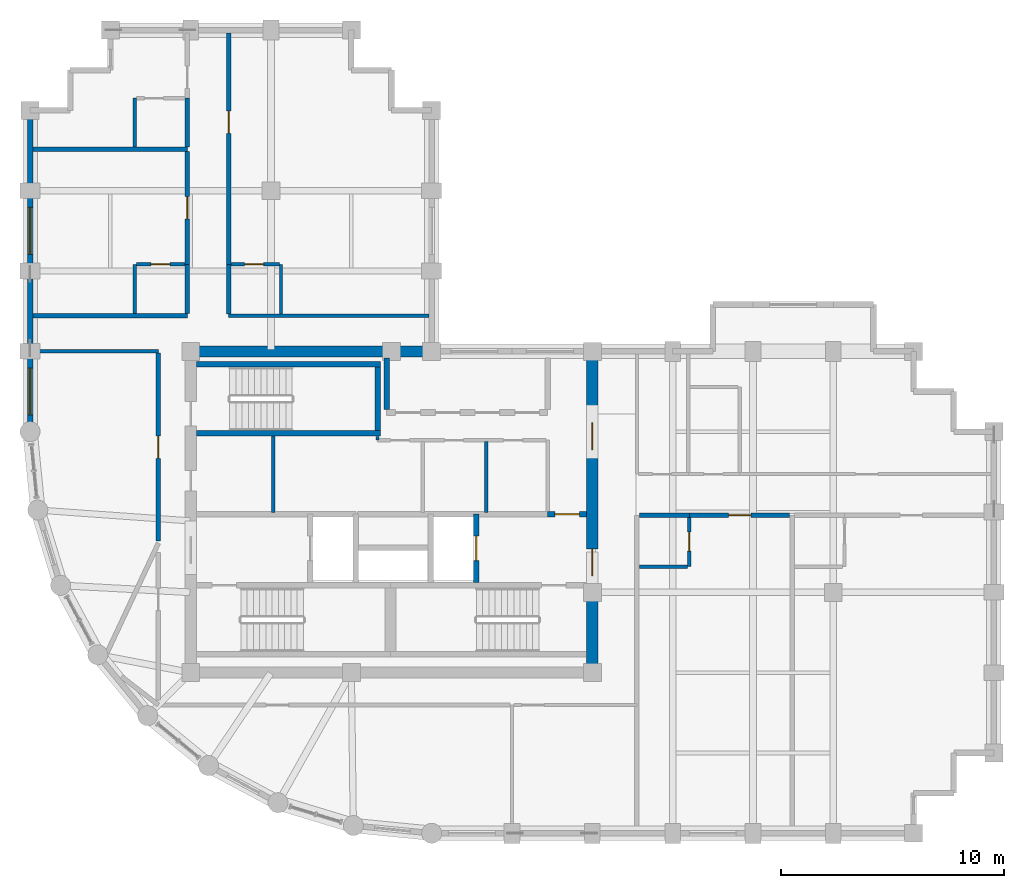
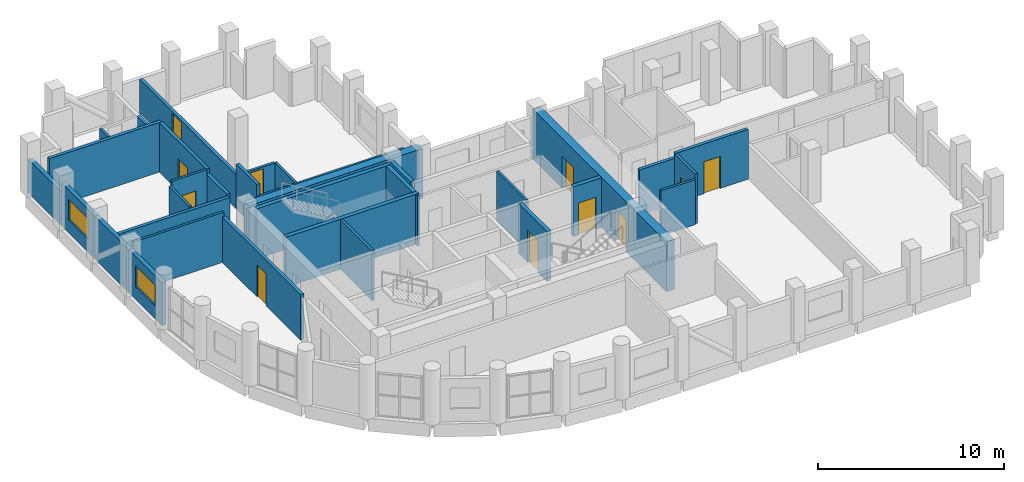
# One storey, part 8 of 11: 34 walls, 11 doors, 2 windows, 13 openings.
"""IFC4 building model written with IfcOpenShell, lengths in metres."""

from ifc_helpers import new_model, si_unit, direction, frame, frame_2d, origin, place, context, subcontext, project, spatial, rectangle, extrude, material, layer, layer_set, type_object, element, fill, save


model = new_model("IFC4")

# Units and contexts
model_context = context("Model", 3, precision=1e-05, world=origin(), true_north=direction((0.0, 1.0)))
body_context = subcontext(model_context, "Body", "Model", "MODEL_VIEW")
ifc_project = project(units=[si_unit("LENGTHUNIT", "METRE"), si_unit("AREAUNIT", "SQUARE_METRE"), si_unit("VOLUMEUNIT", "CUBIC_METRE"), si_unit("PLANEANGLEUNIT", "RADIAN"), si_unit("MASSUNIT", "GRAM", prefix="KILO")], contexts=[model_context])

# Site, building, storey
site_placement = place(None, origin())
site = spatial("IfcSite", under=ifc_project, at=site_placement, CompositionType="ELEMENT")
building_placement = place(site_placement, origin())
building = spatial("IfcBuilding", under=site, at=building_placement, Name="Solnavia Interchange Tower", CompositionType="ELEMENT")
storey_placement = place(building_placement, frame((0.0, 0.0, 217.39990234375)))
storey = spatial("IfcBuildingStorey", under=building, at=storey_placement, Name="L54", CompositionType="ELEMENT", Elevation=217.39990234375)

# Wall, opening, door
ifc_material_1 = material(Name="Gypsum Acoustic Twin-Stud & Mineral Wool", Category="gypsum")
ifc_layer_1 = layer(ifc_material_1, 0.199951171875)
ifc_layer_set_1 = layer_set([ifc_layer_1], Name="Gypsum Acoustic Twin-Stud & Mineral Wool")
wall_type_1 = type_object("IfcWallType", Name="Wall-ApartmentParty-200", PredefinedType="PARTITIONING", material=ifc_layer_set_1)
wall_1_placement = place(storey_placement, frame((12.949951171875, 16.7041015625, 0.0), z_axis=(0.0, 0.0, 1.0), x_axis=(0.0, 1.0, 0.0)))
wall_1 = element("IfcWall", 1, at=wall_1_placement, inside=storey, type_object=wall_type_1, Name="PTW-L54-11 Interior partition wall", PredefinedType="PARTITIONING", context=body_context, shape_type="SweptSolid", body=[
    extrude(rectangle(XDim=8.4169921875, YDim=0.199951171875, at=frame_2d((4.20849609375, 0.0))), origin(), (0.0, 0.0, 1.0), 2.989990234375),
])
opening_1_placement = place(wall_1_placement, frame((3.696044921875, 0.0, 0.0)))
opening_1 = element("IfcOpeningElement", 2, at=opening_1_placement, cuts=wall_1, Name="Opening DR-07", PredefinedType="OPENING", context=body_context, shape_type="SweptSolid", body=[
    extrude(rectangle(XDim=1.0, YDim=2.10009765625, at=frame_2d((0.5, 1.050048828125))), frame((0.0, 0.10986328125, 0.0), z_axis=(0.0, -1.0, 0.0), x_axis=(1.0, 0.0, 0.0)), (0.0, 0.0, 1.0), 0.219970703125),
])
ifc_material_2 = material(Name="Timber & Acoustic Glazed Office Door", Category="wood")
door_type_1 = type_object("IfcDoorType", Name="Door-Office-1000x2100", OperationType="SINGLE_SWING_RIGHT", PredefinedType="DOOR", material=ifc_material_2)
door_1_placement = place(opening_1_placement, origin())
door_1 = element("IfcDoor", 3, at=door_1_placement, inside=storey, type_object=door_type_1, Name="DR-L54-03 Interior room door", OperationType="SINGLE_SWING_LEFT", OverallHeight=2.10009765625, OverallWidth=1.0, PredefinedType="DOOR", context=body_context, shape_type="SweptSolid", body=[
    extrude(rectangle(XDim=1.0, YDim=2.10009765625, at=frame_2d((0.5, 1.050048828125))), frame((0.0, 0.02490234375, 0.0), z_axis=(0.0, -1.0, 0.0), x_axis=(1.0, 0.0, 0.0)), (0.0, 0.0, 1.0), 0.050048828125),
])
fill(opening_1, door_1)

# Wall
wall_2_placement = place(storey_placement, frame((34.50390625, 17.85009765625, 0.0), z_axis=(0.0, 0.0, 1.0), x_axis=(1.0, 0.0, 0.0)))
element("IfcWall", 4, at=wall_2_placement, inside=storey, type_object=wall_type_1, Name="PTW-L54-17 Interior partition wall", PredefinedType="PARTITIONING", context=body_context, shape_type="SweptSolid", body=[
    extrude(rectangle(XDim=2.24609375, YDim=0.199951171875, at=frame_2d((1.123046875, 0.0))), origin(), (0.0, 0.0, 1.0), 2.960205078125),
])

# Wall, opening, door
wall_3_placement = place(storey_placement, frame((36.75, 17.85009765625, 0.0), z_axis=(0.0, 0.0, 1.0), x_axis=(1.0, 0.0, 0.0)))
wall_3 = element("IfcWall", 5, at=wall_3_placement, inside=storey, type_object=wall_type_1, Name="PTW-L54-18 Interior partition wall", PredefinedType="PARTITIONING", context=body_context, shape_type="SweptSolid", body=[
    extrude(rectangle(XDim=4.49609375, YDim=0.199951171875, at=frame_2d((2.248046875, 0.0))), origin(), (0.0, 0.0, 1.0), 3.26513671875),
])
opening_2_placement = place(wall_3_placement, frame((1.760986328125, 0.0, 0.0)))
opening_2 = element("IfcOpeningElement", 6, at=opening_2_placement, cuts=wall_3, Name="Opening DR-06", PredefinedType="OPENING", context=body_context, shape_type="SweptSolid", body=[
    extrude(rectangle(XDim=1.0, YDim=2.10009765625, at=frame_2d((0.5, 1.050048828125))), frame((0.0, 0.10986328125, 0.0), z_axis=(0.0, -1.0, 0.0), x_axis=(1.0, 0.0, 0.0)), (0.0, 0.0, 1.0), 0.219970703125),
])
ifc_material_3 = material(Name="Engineered Timber Acoustic Fire Door", Category="wood")
door_type_2 = type_object("IfcDoorType", Name="Door-FlatEntry-1000x2100", OperationType="SINGLE_SWING_LEFT", PredefinedType="DOOR", material=ifc_material_3)
door_2_placement = place(opening_2_placement, origin())
door_2 = element("IfcDoor", 7, at=door_2_placement, inside=storey, type_object=door_type_2, Name="DR-L54-07 Interior room door", OperationType="SINGLE_SWING_LEFT", OverallHeight=2.10009765625, OverallWidth=1.0, PredefinedType="DOOR", context=body_context, shape_type="SweptSolid", body=[
    extrude(rectangle(XDim=1.0, YDim=2.10009765625, at=frame_2d((0.5, 1.050048828125))), frame((0.0, 0.02490234375, 0.0), z_axis=(0.0, -1.0, 0.0), x_axis=(1.0, 0.0, 0.0)), (0.0, 0.0, 1.0), 0.050048828125),
])
fill(opening_2, door_2)

# Walls
wall_4_placement = place(storey_placement, frame((7.3291015625, 26.800048828125, 0.0), z_axis=(0.0, 0.0, 1.0), x_axis=(1.0, 0.0, 0.0)))
element("IfcWall", 8, at=wall_4_placement, inside=storey, type_object=wall_type_1, Name="PTW-L54-26 Interior partition wall", PredefinedType="PARTITIONING", context=body_context, shape_type="SweptSolid", body=[
    extrude(rectangle(XDim=6.9208984375, YDim=0.199951171875, at=frame_2d((3.46044921875, 0.0))), origin(), (0.0, 0.0, 1.0), 2.830078125),
])
wall_5_placement = place(storey_placement, frame((7.3291015625, 34.25, 0.0), z_axis=(0.0, 0.0, 1.0), x_axis=(1.0, 0.0, 0.0)))
element("IfcWall", 9, at=wall_5_placement, inside=storey, type_object=wall_type_1, Name="PTW-L54-27 Interior partition wall", PredefinedType="PARTITIONING", context=body_context, shape_type="SweptSolid", body=[
    extrude(rectangle(XDim=6.9208984375, YDim=0.199951171875, at=frame_2d((3.46044921875, 0.0))), origin(), (0.0, 0.0, 1.0), 3.26513671875),
])
wall_6_placement = place(storey_placement, frame((14.25, 26.904052734375, 0.0), z_axis=(0.0, 0.0, 1.0), x_axis=(0.0, 1.0, 0.0)))
element("IfcWall", 10, at=wall_6_placement, inside=storey, type_object=wall_type_1, Name="PTW-L54-28 Interior partition wall", PredefinedType="PARTITIONING", context=body_context, shape_type="SweptSolid", body=[
    extrude(rectangle(XDim=2.196044921875, YDim=0.199951171875, at=frame_2d((1.09814453125, 0.0))), origin(), (0.0, 0.0, 1.0), 2.9501953125),
])

# Wall, opening, door
wall_7_placement = place(storey_placement, frame((14.25, 29.10009765625, 0.0), z_axis=(0.0, 0.0, 1.0), x_axis=(0.0, 1.0, 0.0)))
wall_7 = element("IfcWall", 11, at=wall_7_placement, inside=storey, type_object=wall_type_1, Name="PTW-L54-29 Interior partition wall", PredefinedType="PARTITIONING", context=body_context, shape_type="SweptSolid", body=[
    extrude(rectangle(XDim=5.0458984375, YDim=0.199951171875, at=frame_2d((2.52294921875, 0.0))), origin(), (0.0, 0.0, 1.0), 3.26513671875),
])
opening_3_placement = place(wall_7_placement, frame((2.034912109375, 0.0, 0.0)))
opening_3 = element("IfcOpeningElement", 12, at=opening_3_placement, cuts=wall_7, Name="Opening DR-06", PredefinedType="OPENING", context=body_context, shape_type="SweptSolid", body=[
    extrude(rectangle(XDim=1.0, YDim=2.10009765625, at=frame_2d((0.5, 1.050048828125))), frame((0.0, 0.10986328125, 0.0), z_axis=(0.0, -1.0, 0.0), x_axis=(1.0, 0.0, 0.0)), (0.0, 0.0, 1.0), 0.219970703125),
])
door_3_placement = place(opening_3_placement, origin())
door_3 = element("IfcDoor", 13, at=door_3_placement, inside=storey, type_object=door_type_2, Name="DR-L54-12 Interior room door", OperationType="SINGLE_SWING_RIGHT", OverallHeight=2.10009765625, OverallWidth=1.0, PredefinedType="DOOR", context=body_context, shape_type="SweptSolid", body=[
    extrude(rectangle(XDim=1.0, YDim=2.10009765625, at=frame_2d((0.5, 1.050048828125))), frame((0.0, 0.02490234375, 0.0), z_axis=(0.0, -1.0, 0.0), x_axis=(1.0, 0.0, 0.0)), (0.0, 0.0, 1.0), 0.050048828125),
])
fill(opening_3, door_3)

# Walls
wall_8_placement = place(storey_placement, frame((14.25, 34.35400390625, 0.0), z_axis=(0.0, 0.0, 1.0), x_axis=(0.0, 1.0, 0.0)))
element("IfcWall", 14, at=wall_8_placement, inside=storey, type_object=wall_type_1, Name="PTW-L54-32 Interior partition wall", PredefinedType="PARTITIONING", context=body_context, shape_type="SweptSolid", body=[
    extrude(rectangle(XDim=2.196044921875, YDim=0.199951171875, at=frame_2d((1.09814453125, 0.0))), origin(), (0.0, 0.0, 1.0), 2.22998046875),
])
wall_9_placement = place(storey_placement, frame((16.10009765625, 26.87890625, 0.0), z_axis=(0.0, 0.0, 1.0), x_axis=(0.0, 1.0, 0.0)))
element("IfcWall", 15, at=wall_9_placement, inside=storey, type_object=wall_type_1, Name="PTW-L54-37 Interior partition wall", PredefinedType="PARTITIONING", context=body_context, shape_type="SweptSolid", body=[
    extrude(rectangle(XDim=2.22119140625, YDim=0.199951171875, at=frame_2d((1.110595703125, 0.0))), origin(), (0.0, 0.0, 1.0), 2.9501953125),
])

# Wall, opening, door
wall_10_placement = place(storey_placement, frame((16.10009765625, 29.10009765625, 0.0), z_axis=(0.0, 0.0, 1.0), x_axis=(0.0, 1.0, 0.0)))
wall_10 = element("IfcWall", 16, at=wall_10_placement, inside=storey, type_object=wall_type_1, Name="PTW-L54-38 Interior partition wall", PredefinedType="PARTITIONING", context=body_context, shape_type="SweptSolid", body=[
    extrude(rectangle(XDim=10.370849609375, YDim=0.199951171875, at=frame_2d((5.185546875, 0.0))), origin(), (0.0, 0.0, 1.0), 2.22998046875),
])
opening_4_placement = place(wall_10_placement, frame((5.866943359375, 0.0, 0.0)))
opening_4 = element("IfcOpeningElement", 17, at=opening_4_placement, cuts=wall_10, Name="Opening DR-06", PredefinedType="OPENING", context=body_context, shape_type="SweptSolid", body=[
    extrude(rectangle(XDim=1.0, YDim=2.10009765625, at=frame_2d((0.5, 1.050048828125))), frame((0.0, 0.10986328125, 0.0), z_axis=(0.0, -1.0, 0.0), x_axis=(1.0, 0.0, 0.0)), (0.0, 0.0, 1.0), 0.219970703125),
])
door_4_placement = place(opening_4_placement, origin())
door_4 = element("IfcDoor", 18, at=door_4_placement, inside=storey, type_object=door_type_2, Name="DR-L54-16 Interior room door", OperationType="SINGLE_SWING_LEFT", OverallHeight=2.10009765625, OverallWidth=1.0, PredefinedType="DOOR", context=body_context, shape_type="SweptSolid", body=[
    extrude(rectangle(XDim=1.0, YDim=2.10009765625, at=frame_2d((0.5, 1.050048828125))), frame((0.0, 0.02490234375, 0.0), z_axis=(0.0, -1.0, 0.0), x_axis=(1.0, 0.0, 0.0)), (0.0, 0.0, 1.0), 0.050048828125),
])
fill(opening_4, door_4)

# Wall
ifc_material_4 = material(Name="Concrete C40/50", Category="concrete")
ifc_layer_2 = layer(ifc_material_4, 0.25)
ifc_layer_set_2 = layer_set([ifc_layer_2], Name="Concrete C40/50")
wall_type_2 = type_object("IfcWallType", Name="Wall-ExtSpandrel-250", PredefinedType="STANDARD", material=ifc_layer_set_2)
wall_11_placement = place(storey_placement, frame((7.199951171875, 32.39990234375, 0.0), z_axis=(0.0, 0.0, 1.0), x_axis=(0.0, 1.0, 0.0)))
element("IfcWall", 19, at=wall_11_placement, inside=storey, type_object=wall_type_2, Name="EXW-L54-43 Exterior precast spandrel wall", PredefinedType="STANDARD", context=body_context, shape_type="SweptSolid", body=[
    extrude(rectangle(XDim=3.60009765625, YDim=0.25, at=frame_2d((1.800048828125, 0.0))), origin(), (0.0, 0.0, 1.0), 2.22998046875),
])

# Wall, opening, window
wall_12_placement = place(storey_placement, frame((7.199951171875, 28.800048828125, 0.0), z_axis=(0.0, 0.0, 1.0), x_axis=(0.0, 1.0, 0.0)))
wall_12 = element("IfcWall", 20, at=wall_12_placement, inside=storey, type_object=wall_type_2, Name="EXW-L54-44 Exterior precast spandrel wall", PredefinedType="STANDARD", context=body_context, shape_type="SweptSolid", body=[
    extrude(rectangle(XDim=3.599853515625, YDim=0.25, at=frame_2d((1.7998046875, 0.0))), origin(), (0.0, 0.0, 1.0), 2.830078125),
])
opening_5_placement = place(wall_12_placement, frame((0.75, 0.0, 0.85009765625)))
opening_5 = element("IfcOpeningElement", 21, at=opening_5_placement, cuts=wall_12, Name="Opening WIN-01", PredefinedType="OPENING", context=body_context, shape_type="SweptSolid", body=[
    extrude(rectangle(XDim=2.10009765625, YDim=1.35009765625, at=frame_2d((1.050048828125, 0.675048828125))), frame((0.0, 0.135009765625, 0.0), z_axis=(0.0, -1.0, 0.0), x_axis=(1.0, 0.0, 0.0)), (0.0, 0.0, 1.0), 0.27001953125),
])
ifc_material_5 = material(Name="Thermal-Break Aluminium & Low-E Glass", Category="aluminium")
window_type = type_object("IfcWindowType", Name="Window-Ribbon-2100x1350", PartitioningType="SINGLE_PANEL", PredefinedType="WINDOW", material=ifc_material_5)
window_1_placement = place(opening_5_placement, origin())
window_1 = element("IfcWindow", 22, at=window_1_placement, inside=storey, type_object=window_type, Name="WIN-L54-44 Facade ribbon window", OverallHeight=1.35009765625, OverallWidth=2.10009765625, PartitioningType="SINGLE_PANEL", PredefinedType="WINDOW", context=body_context, shape_type="SweptSolid", body=[
    extrude(rectangle(XDim=2.10009765625, YDim=1.35009765625, at=frame_2d((1.050048828125, 0.675048828125))), frame((0.0, 0.030029296875, 0.0), z_axis=(0.0, -1.0, 0.0), x_axis=(1.0, 0.0, 0.0)), (0.0, 0.0, 1.0), 0.06005859375),
])
fill(opening_5, window_1)

# Wall
wall_13_placement = place(storey_placement, frame((7.199951171875, 25.199951171875, 0.0), z_axis=(0.0, 0.0, 1.0), x_axis=(0.0, 1.0, 0.0)))
element("IfcWall", 23, at=wall_13_placement, inside=storey, type_object=wall_type_2, Name="EXW-L54-45 Exterior precast spandrel wall", PredefinedType="STANDARD", context=body_context, shape_type="SweptSolid", body=[
    extrude(rectangle(XDim=3.60009765625, YDim=0.25, at=frame_2d((1.800048828125, 0.0))), origin(), (0.0, 0.0, 1.0), 2.830078125),
])

# Wall, opening, window
wall_14_placement = place(storey_placement, frame((7.199951171875, 21.60009765625, 0.0), z_axis=(0.0, 0.0, 1.0), x_axis=(0.0, 1.0, 0.0)))
wall_14 = element("IfcWall", 24, at=wall_14_placement, inside=storey, type_object=wall_type_2, Name="EXW-L54-46 Exterior precast spandrel wall", PredefinedType="STANDARD", context=body_context, shape_type="SweptSolid", body=[
    extrude(rectangle(XDim=3.599853515625, YDim=0.25, at=frame_2d((1.7998046875, 0.0))), origin(), (0.0, 0.0, 1.0), 2.830078125),
])
opening_6_placement = place(wall_14_placement, frame((0.75, 0.0, 0.85009765625)))
opening_6 = element("IfcOpeningElement", 25, at=opening_6_placement, cuts=wall_14, Name="Opening WIN-01", PredefinedType="OPENING", context=body_context, shape_type="SweptSolid", body=[
    extrude(rectangle(XDim=2.10009765625, YDim=1.35009765625, at=frame_2d((1.050048828125, 0.675048828125))), frame((0.0, 0.135009765625, 0.0), z_axis=(0.0, -1.0, 0.0), x_axis=(1.0, 0.0, 0.0)), (0.0, 0.0, 1.0), 0.27001953125),
])
window_2_placement = place(opening_6_placement, origin())
window_2 = element("IfcWindow", 26, at=window_2_placement, inside=storey, type_object=window_type, Name="WIN-L54-46 Facade ribbon window", OverallHeight=1.35009765625, OverallWidth=2.10009765625, PartitioningType="SINGLE_PANEL", PredefinedType="WINDOW", context=body_context, shape_type="SweptSolid", body=[
    extrude(rectangle(XDim=2.10009765625, YDim=1.35009765625, at=frame_2d((1.050048828125, 0.675048828125))), frame((0.0, 0.030029296875, 0.0), z_axis=(0.0, -1.0, 0.0), x_axis=(1.0, 0.0, 0.0)), (0.0, 0.0, 1.0), 0.06005859375),
])
fill(opening_6, window_2)

# Walls
ifc_material_6 = material(Name="Gypsum Plasterboard & Steel Stud", Category="steel")
ifc_layer_3 = layer(ifc_material_6, 0.14990234375)
ifc_layer_set_3 = layer_set([ifc_layer_3], Name="Gypsum Plasterboard & Steel Stud")
wall_type_3 = type_object("IfcWallType", Name="Wall-Partition-150", PredefinedType="PARTITIONING", material=ifc_layer_set_3)
wall_15_placement = place(storey_placement, frame((22.77490234375, 21.219970703125, 0.0), z_axis=(0.0, 0.0, 1.0), x_axis=(0.0, 1.0, 0.0)))
element("IfcWall", 27, at=wall_15_placement, inside=storey, type_object=wall_type_3, Name="CSW-L54-ST-TIE Core shaft wall", PredefinedType="PARTITIONING", context=body_context, shape_type="SweptSolid", body=[
    extrude(rectangle(XDim=0.175048828125, YDim=0.14990234375, at=frame_2d((0.08740234375, 0.0))), origin(), (0.0, 0.0, 1.0), 3.26513671875),
])
wall_16_placement = place(storey_placement, frame((18.10009765625, 17.97998046875, 0.0), z_axis=(0.0, 0.0, 1.0), x_axis=(0.0, 1.0, 0.0)))
element("IfcWall", 28, at=wall_16_placement, inside=storey, type_object=wall_type_3, Name="CSW-L54-M1 Core shaft wall", PredefinedType="PARTITIONING", context=body_context, shape_type="SweptSolid", body=[
    extrude(rectangle(XDim=3.419921875, YDim=0.14990234375, at=frame_2d((1.7099609375, 0.0))), origin(), (0.0, 0.0, 1.0), 3.26513671875),
])
wall_17_placement = place(storey_placement, frame((27.64990234375, 17.97998046875, 0.0), z_axis=(0.0, 0.0, 1.0), x_axis=(0.0, 1.0, 0.0)))
element("IfcWall", 29, at=wall_17_placement, inside=storey, type_object=wall_type_3, Name="CSW-L54-M3 Core shaft wall", PredefinedType="PARTITIONING", context=body_context, shape_type="SweptSolid", body=[
    extrude(rectangle(XDim=3.169921875, YDim=0.14990234375, at=frame_2d((1.5849609375, 0.0))), origin(), (0.0, 0.0, 1.0), 3.26513671875),
])
wall_18_placement = place(storey_placement, frame((7.3291015625, 25.199951171875, 0.0), z_axis=(0.0, 0.0, 1.0), x_axis=(1.0, 0.0, 0.0)))
element("IfcWall", 30, at=wall_18_placement, inside=storey, type_object=wall_type_3, Name="PTW-L54-07 Interior partition wall", PredefinedType="PARTITIONING", context=body_context, shape_type="SweptSolid", body=[
    extrude(rectangle(XDim=5.620849609375, YDim=0.14990234375, at=frame_2d((2.810546875, 0.0))), origin(), (0.0, 0.0, 1.0), 3.26513671875),
])
wall_19_placement = place(storey_placement, frame((16.10009765625, 26.800048828125, 0.0), z_axis=(0.0, 0.0, 1.0), x_axis=(1.0, 0.0, 0.0)))
element("IfcWall", 31, at=wall_19_placement, inside=storey, type_object=wall_type_3, Name="PTW-L54-36 Interior partition wall", PredefinedType="PARTITIONING", context=body_context, shape_type="SweptSolid", body=[
    extrude(rectangle(XDim=8.970947265625, YDim=0.14990234375, at=frame_2d((4.4853515625, 0.0))), origin(), (0.0, 0.0, 1.0), 2.22998046875),
])
ifc_layer_4 = layer(ifc_material_4, 0.25)
ifc_layer_set_4 = layer_set([ifc_layer_4], Name="Concrete C40/50")
wall_type_4 = type_object("IfcWallType", Name="Wall-ShaftCore-250", PredefinedType="SHEAR", material=ifc_layer_set_4)
for number, where, z_axis, x_axis, name in (
    (32, (14.64990234375, 21.52490234375, 0.0), (0.0, 0.0, 1.0), (1.0, 0.0, 0.0), "SHW-L54-ST3S Core shear wall"),
    (33, (14.64990234375, 24.614990234375, 0.0), (0.0, 0.0, 1.0), (1.0, 0.0, 0.0), "SHW-L54-ST3N Core shear wall"),
):
    element("IfcWall", number, at=place(storey_placement, frame(where, z_axis=z_axis, x_axis=x_axis)), inside=storey, type_object=wall_type_4, Name=name, PredefinedType="SHEAR", context=body_context, shape_type="SweptSolid", body=[
        extrude(rectangle(XDim=8.25, YDim=0.25, at=frame_2d((4.125, 0.0))), origin(), (0.0, 0.0, 1.0), 3.280029296875),
    ])
wall_20_placement = place(storey_placement, frame((22.77490234375, 21.64990234375, 0.0), z_axis=(0.0, 0.0, 1.0), x_axis=(0.0, 1.0, 0.0)))
element("IfcWall", 34, at=wall_20_placement, inside=storey, type_object=wall_type_4, Name="SHW-L54-ST3E Core shear wall", PredefinedType="SHEAR", context=body_context, shape_type="SweptSolid", body=[
    extrude(rectangle(XDim=2.840087890625, YDim=0.25, at=frame_2d((1.419921875, 0.0))), origin(), (0.0, 0.0, 1.0), 3.280029296875),
])

# Wall, opening, door
ifc_layer_5 = layer(ifc_material_4, 0.25)
ifc_layer_set_5 = layer_set([ifc_layer_5], Name="Concrete C40/50")
wall_type_5 = type_object("IfcWallType", Name="Wall-ShaftPart-250", PredefinedType="PARTITIONING", material=ifc_layer_set_5)
wall_21_placement = place(storey_placement, frame((30.39990234375, 17.89990234375, 0.0), z_axis=(0.0, 0.0, 1.0), x_axis=(1.0, 0.0, 0.0)))
wall_21 = element("IfcWall", 35, at=wall_21_placement, inside=storey, type_object=wall_type_5, Name="SHW-L54-FFLE-N2 Core shaft wall", PredefinedType="PARTITIONING", context=body_context, shape_type="SweptSolid", body=[
    extrude(rectangle(XDim=1.75, YDim=0.25, at=frame_2d((0.875, 0.0))), origin(), (0.0, 0.0, 1.0), 3.26513671875),
])
opening_7_placement = place(wall_21_placement, frame((0.320068359375, 0.0, 0.0)))
opening_7 = element("IfcOpeningElement", 36, at=opening_7_placement, cuts=wall_21, Name="Opening DR-01", PredefinedType="OPENING", context=body_context, shape_type="SweptSolid", body=[
    extrude(rectangle(XDim=1.10009765625, YDim=2.10009765625, at=frame_2d((0.550048828125, 1.050048828125))), frame((0.0, 0.135009765625, 0.0), z_axis=(0.0, -1.0, 0.0), x_axis=(1.0, 0.0, 0.0)), (0.0, 0.0, 1.0), 0.27001953125),
])
ifc_material_7 = material(Name="Steel Fire-Rated Leaf & Frame", Category="steel")
door_type_3 = type_object("IfcDoorType", Name="Door-StairFire-1100x2100", OperationType="SINGLE_SWING_LEFT", PredefinedType="DOOR", material=ifc_material_7)
door_5_placement = place(opening_7_placement, origin())
door_5 = element("IfcDoor", 37, at=door_5_placement, inside=storey, type_object=door_type_3, Name="DR-L54-LLC Core fire door", OperationType="SINGLE_SWING_LEFT", OverallHeight=2.10009765625, OverallWidth=1.10009765625, PredefinedType="DOOR", context=body_context, shape_type="SweptSolid", body=[
    extrude(rectangle(XDim=1.10009765625, YDim=2.10009765625, at=frame_2d((0.550048828125, 1.050048828125))), frame((0.0, 0.02490234375, 0.0), z_axis=(0.0, -1.0, 0.0), x_axis=(1.0, 0.0, 0.0)), (0.0, 0.0, 1.0), 0.050048828125),
])
fill(opening_7, door_5)

wall_22_placement = place(storey_placement, frame((27.199951171875, 14.840087890625, 0.0), z_axis=(0.0, 0.0, 1.0), x_axis=(0.0, 1.0, 0.0)))
wall_22 = element("IfcWall", 38, at=wall_22_placement, inside=storey, type_object=wall_type_5, Name="SHW-L54-FFL2-E Core shaft wall", PredefinedType="PARTITIONING", context=body_context, shape_type="SweptSolid", body=[
    extrude(rectangle(XDim=3.059814453125, YDim=0.25, at=frame_2d((1.52978515625, 0.0))), origin(), (0.0, 0.0, 1.0), 3.26513671875),
])
opening_8_placement = place(wall_22_placement, frame((0.97998046875, 0.0, 0.0)))
opening_8 = element("IfcOpeningElement", 39, at=opening_8_placement, cuts=wall_22, Name="Opening LD-01", PredefinedType="OPENING", context=body_context, shape_type="SweptSolid", body=[
    extrude(rectangle(XDim=1.10009765625, YDim=2.10009765625, at=frame_2d((0.550048828125, 1.050048828125))), frame((0.0, 0.135009765625, 0.0), z_axis=(0.0, -1.0, 0.0), x_axis=(1.0, 0.0, 0.0)), (0.0, 0.0, 1.0), 0.27001953125),
])
ifc_material_8 = material(Name="Brushed Stainless Steel Sliding Door", Category="steel")
door_type_4 = type_object("IfcDoorType", Name="Door-LiftLanding-1100x2100", OperationType="SLIDING_TO_LEFT", PredefinedType="DOOR", material=ifc_material_8)
door_6_placement = place(opening_8_placement, origin())
door_6 = element("IfcDoor", 40, at=door_6_placement, inside=storey, type_object=door_type_4, Name="LD-L54-FFL2 Lift landing sliding door", OperationType="SLIDING_TO_LEFT", OverallHeight=2.10009765625, OverallWidth=1.10009765625, PredefinedType="DOOR", context=body_context, shape_type="SweptSolid", body=[
    extrude(rectangle(XDim=1.10009765625, YDim=2.10009765625, at=frame_2d((0.550048828125, 1.050048828125))), frame((0.0, 0.02490234375, 0.0), z_axis=(0.0, -1.0, 0.0), x_axis=(1.0, 0.0, 0.0)), (0.0, 0.0, 1.0), 0.050048828125),
])
fill(opening_8, door_6)

# Walls
wall_23_placement = place(storey_placement, frame((23.179931640625, 22.5849609375, 0.0), z_axis=(0.0, 0.0, 1.0), x_axis=(0.0, 1.0, 0.0)))
element("IfcWall", 41, at=wall_23_placement, inside=storey, type_object=wall_type_5, Name="SHW-L54-B3W Core shaft wall", PredefinedType="PARTITIONING", context=body_context, shape_type="SweptSolid", body=[
    extrude(rectangle(XDim=2.31494140625, YDim=0.25, at=frame_2d((1.157470703125, 0.0))), origin(), (0.0, 0.0, 1.0), 3.26513671875),
])
ifc_material_9 = material(Name="Concrete C60/75", Category="concrete")
ifc_layer_6 = layer(ifc_material_9, 0.5)
ifc_layer_set_6 = layer_set([ifc_layer_6], Name="Concrete C60/75")
wall_type_6 = type_object("IfcWallType", Name="Wall-ShearCore-500", PredefinedType="SHEAR", material=ifc_layer_set_6)
wall_24_placement = place(storey_placement, frame((14.39990234375, 25.199951171875, 0.0), z_axis=(0.0, 0.0, 1.0), x_axis=(1.0, 0.0, 0.0)))
element("IfcWall", 42, at=wall_24_placement, inside=storey, type_object=wall_type_6, Name="CRW-L54-N Core shear wall", PredefinedType="SHEAR", context=body_context, shape_type="SweptSolid", body=[
    extrude(rectangle(XDim=10.800048828125, YDim=0.5, at=frame_2d((5.39990234375, 0.0))), origin(), (0.0, 0.0, 1.0), 3.280029296875),
])

# Wall, openings, doors
wall_25_placement = place(storey_placement, frame((32.39990234375, 10.800048828125, 0.0), z_axis=(0.0, 0.0, 1.0), x_axis=(0.0, 1.0, 0.0)))
wall_25 = element("IfcWall", 43, at=wall_25_placement, inside=storey, type_object=wall_type_6, Name="CRW-L54-E Core shear wall", PredefinedType="SHEAR", context=body_context, shape_type="SweptSolid", body=[
    extrude(rectangle(XDim=14.39990234375, YDim=0.5, at=frame_2d((7.199951171875, 0.0))), origin(), (0.0, 0.0, 1.0), 3.280029296875),
])
opening_9_placement = place(wall_25_placement, frame((4.35009765625, 0.0, 0.0)))
opening_9 = element("IfcOpeningElement", 44, at=opening_9_placement, cuts=wall_25, Name="Opening DR-02", PredefinedType="OPENING", context=body_context, shape_type="SweptSolid", body=[
    extrude(rectangle(XDim=1.199951171875, YDim=2.10009765625, at=frame_2d((0.60009765625, 1.050048828125))), frame((0.0, 0.260009765625, 0.0), z_axis=(0.0, -1.0, 0.0), x_axis=(1.0, 0.0, 0.0)), (0.0, 0.0, 1.0), 0.52001953125),
])
opening_10_placement = place(wall_25_placement, frame((10.0, 0.0, 0.0)))
opening_10 = element("IfcOpeningElement", 45, at=opening_10_placement, cuts=wall_25, Name="Opening DR-02", PredefinedType="OPENING", context=body_context, shape_type="SweptSolid", body=[
    extrude(rectangle(XDim=1.199951171875, YDim=2.10009765625, at=frame_2d((0.60009765625, 1.050048828125))), frame((0.0, 0.260009765625, 0.0), z_axis=(0.0, -1.0, 0.0), x_axis=(1.0, 0.0, 0.0)), (0.0, 0.0, 1.0), 0.52001953125),
])
ifc_material_10 = material(Name="Steel Fire-Rated Vision-Panel Door", Category="steel")
door_type_5 = type_object("IfcDoorType", Name="Door-LobbyFire-1200x2100", OperationType="SINGLE_SWING_RIGHT", PredefinedType="DOOR", material=ifc_material_10)
door_7_placement = place(opening_9_placement, origin())
door_7 = element("IfcDoor", 46, at=door_7_placement, inside=storey, type_object=door_type_5, Name="DR-L54-FFL2E Core fire door", OperationType="SINGLE_SWING_LEFT", OverallHeight=2.10009765625, OverallWidth=1.199951171875, PredefinedType="DOOR", context=body_context, shape_type="SweptSolid", body=[
    extrude(rectangle(XDim=1.199951171875, YDim=2.10009765625, at=frame_2d((0.60009765625, 1.050048828125))), frame((0.0, 0.02490234375, 0.0), z_axis=(0.0, -1.0, 0.0), x_axis=(1.0, 0.0, 0.0)), (0.0, 0.0, 1.0), 0.050048828125),
])
fill(opening_9, door_7)
door_8_placement = place(opening_10_placement, origin())
door_8 = element("IfcDoor", 47, at=door_8_placement, inside=storey, type_object=door_type_5, Name="DR-L54-LLE Core fire door", OperationType="SINGLE_SWING_RIGHT", OverallHeight=2.10009765625, OverallWidth=1.199951171875, PredefinedType="DOOR", context=body_context, shape_type="SweptSolid", body=[
    extrude(rectangle(XDim=1.199951171875, YDim=2.10009765625, at=frame_2d((0.60009765625, 1.050048828125))), frame((0.0, 0.02490234375, 0.0), z_axis=(0.0, -1.0, 0.0), x_axis=(1.0, 0.0, 0.0)), (0.0, 0.0, 1.0), 0.050048828125),
])
fill(opening_10, door_8)

# Wall, opening, door
ifc_material_11 = material(Name="Moisture-Resistant Gypsum & Steel Stud", Category="steel")
ifc_layer_7 = layer(ifc_material_11, 0.14990234375)
ifc_layer_set_7 = layer_set([ifc_layer_7], Name="Moisture-Resistant Gypsum & Steel Stud")
wall_type_7 = type_object("IfcWallType", Name="Wall-WetRoom-150", PredefinedType="PARTITIONING", material=ifc_layer_set_7)
wall_26_placement = place(storey_placement, frame((36.75, 15.550048828125, 0.0), z_axis=(0.0, 0.0, 1.0), x_axis=(0.0, 1.0, 0.0)))
wall_26 = element("IfcWall", 48, at=wall_26_placement, inside=storey, type_object=wall_type_7, Name="PTW-L54-19 Interior partition wall", PredefinedType="PARTITIONING", context=body_context, shape_type="SweptSolid", body=[
    extrude(rectangle(XDim=2.196044921875, YDim=0.14990234375, at=frame_2d((1.09814453125, 0.0))), origin(), (0.0, 0.0, 1.0), 3.26513671875),
])
opening_11_placement = place(wall_26_placement, frame((0.697021484375, 0.0, 0.0)))
opening_11 = element("IfcOpeningElement", 49, at=opening_11_placement, cuts=wall_26, Name="Opening DR-10", PredefinedType="OPENING", context=body_context, shape_type="SweptSolid", body=[
    extrude(rectangle(XDim=0.85009765625, YDim=2.10009765625, at=frame_2d((0.425048828125, 1.050048828125))), frame((0.0, 0.0849609375, 0.0), z_axis=(0.0, -1.0, 0.0), x_axis=(1.0, 0.0, 0.0)), (0.0, 0.0, 1.0), 0.169921875),
])
ifc_material_12 = material(Name="Moisture-Resistant Timber Door", Category="wood")
door_type_6 = type_object("IfcDoorType", Name="Door-Bathroom-850x2100", OperationType="SINGLE_SWING_RIGHT", PredefinedType="DOOR", material=ifc_material_12)
door_9_placement = place(opening_11_placement, origin())
door_9 = element("IfcDoor", 50, at=door_9_placement, inside=storey, type_object=door_type_6, Name="DR-L54-08 Interior room door", OperationType="SINGLE_SWING_RIGHT", OverallHeight=2.10009765625, OverallWidth=0.85009765625, PredefinedType="DOOR", context=body_context, shape_type="SweptSolid", body=[
    extrude(rectangle(XDim=0.85009765625, YDim=2.10009765625, at=frame_2d((0.425048828125, 1.050048828125))), frame((0.0, 0.02490234375, 0.0), z_axis=(0.0, -1.0, 0.0), x_axis=(1.0, 0.0, 0.0)), (0.0, 0.0, 1.0), 0.050048828125),
])
fill(opening_11, door_9)

# Walls
wall_27_placement = place(storey_placement, frame((34.50390625, 15.550048828125, 0.0), z_axis=(0.0, 0.0, 1.0), x_axis=(1.0, 0.0, 0.0)))
element("IfcWall", 51, at=wall_27_placement, inside=storey, type_object=wall_type_7, Name="PTW-L54-20 Interior partition wall", PredefinedType="PARTITIONING", context=body_context, shape_type="SweptSolid", body=[
    extrude(rectangle(XDim=2.1669921875, YDim=0.14990234375, at=frame_2d((1.08349609375, 0.0))), origin(), (0.0, 0.0, 1.0), 2.960205078125),
])
wall_28_placement = place(storey_placement, frame((11.89990234375, 26.904052734375, 0.0), z_axis=(0.0, 0.0, 1.0), x_axis=(0.0, 1.0, 0.0)))
element("IfcWall", 52, at=wall_28_placement, inside=storey, type_object=wall_type_7, Name="PTW-L54-30 Interior partition wall", PredefinedType="PARTITIONING", context=body_context, shape_type="SweptSolid", body=[
    extrude(rectangle(XDim=2.196044921875, YDim=0.14990234375, at=frame_2d((1.09814453125, 0.0))), origin(), (0.0, 0.0, 1.0), 2.9501953125),
])

# Wall, opening, door
wall_29_placement = place(storey_placement, frame((11.97900390625, 29.10009765625, 0.0), z_axis=(0.0, 0.0, 1.0), x_axis=(1.0, 0.0, 0.0)))
wall_29 = element("IfcWall", 53, at=wall_29_placement, inside=storey, type_object=wall_type_7, Name="PTW-L54-31 Interior partition wall", PredefinedType="PARTITIONING", context=body_context, shape_type="SweptSolid", body=[
    extrude(rectangle(XDim=2.1669921875, YDim=0.14990234375, at=frame_2d((1.08349609375, 0.0))), origin(), (0.0, 0.0, 1.0), 3.26513671875),
])
opening_12_placement = place(wall_29_placement, frame((0.64111328125, 0.0, 0.0)))
opening_12 = element("IfcOpeningElement", 54, at=opening_12_placement, cuts=wall_29, Name="Opening DR-10", PredefinedType="OPENING", context=body_context, shape_type="SweptSolid", body=[
    extrude(rectangle(XDim=0.85009765625, YDim=2.10009765625, at=frame_2d((0.425048828125, 1.050048828125))), frame((0.0, 0.0849609375, 0.0), z_axis=(0.0, -1.0, 0.0), x_axis=(1.0, 0.0, 0.0)), (0.0, 0.0, 1.0), 0.169921875),
])
door_10_placement = place(opening_12_placement, origin())
door_10 = element("IfcDoor", 55, at=door_10_placement, inside=storey, type_object=door_type_6, Name="DR-L54-13 Interior room door", OperationType="SINGLE_SWING_RIGHT", OverallHeight=2.10009765625, OverallWidth=0.85009765625, PredefinedType="DOOR", context=body_context, shape_type="SweptSolid", body=[
    extrude(rectangle(XDim=0.85009765625, YDim=2.10009765625, at=frame_2d((0.425048828125, 1.050048828125))), frame((0.0, 0.02490234375, 0.0), z_axis=(0.0, -1.0, 0.0), x_axis=(1.0, 0.0, 0.0)), (0.0, 0.0, 1.0), 0.050048828125),
])
fill(opening_12, door_10)

# Walls
wall_30_placement = place(storey_placement, frame((11.89990234375, 34.35400390625, 0.0), z_axis=(0.0, 0.0, 1.0), x_axis=(0.0, 1.0, 0.0)))
element("IfcWall", 56, at=wall_30_placement, inside=storey, type_object=wall_type_7, Name="PTW-L54-34 Interior partition wall", PredefinedType="PARTITIONING", context=body_context, shape_type="SweptSolid", body=[
    extrude(rectangle(XDim=2.196044921875, YDim=0.14990234375, at=frame_2d((1.09814453125, 0.0))), origin(), (0.0, 0.0, 1.0), 2.22998046875),
])
wall_31_placement = place(storey_placement, frame((18.449951171875, 26.87890625, 0.0), z_axis=(0.0, 0.0, 1.0), x_axis=(0.0, 1.0, 0.0)))
element("IfcWall", 57, at=wall_31_placement, inside=storey, type_object=wall_type_7, Name="PTW-L54-39 Interior partition wall", PredefinedType="PARTITIONING", context=body_context, shape_type="SweptSolid", body=[
    extrude(rectangle(XDim=2.22119140625, YDim=0.14990234375, at=frame_2d((1.110595703125, 0.0))), origin(), (0.0, 0.0, 1.0), 2.22998046875),
])

# Wall, opening, door
wall_32_placement = place(storey_placement, frame((16.2041015625, 29.10009765625, 0.0), z_axis=(0.0, 0.0, 1.0), x_axis=(1.0, 0.0, 0.0)))
wall_32 = element("IfcWall", 58, at=wall_32_placement, inside=storey, type_object=wall_type_7, Name="PTW-L54-40 Interior partition wall", PredefinedType="PARTITIONING", context=body_context, shape_type="SweptSolid", body=[
    extrude(rectangle(XDim=2.1669921875, YDim=0.14990234375, at=frame_2d((1.08349609375, 0.0))), origin(), (0.0, 0.0, 1.0), 2.22998046875),
])
opening_13_placement = place(wall_32_placement, frame((0.615966796875, 0.0, 0.0)))
opening_13 = element("IfcOpeningElement", 59, at=opening_13_placement, cuts=wall_32, Name="Opening DR-10", PredefinedType="OPENING", context=body_context, shape_type="SweptSolid", body=[
    extrude(rectangle(XDim=0.85009765625, YDim=2.10009765625, at=frame_2d((0.425048828125, 1.050048828125))), frame((0.0, 0.0849609375, 0.0), z_axis=(0.0, -1.0, 0.0), x_axis=(1.0, 0.0, 0.0)), (0.0, 0.0, 1.0), 0.169921875),
])
door_11_placement = place(opening_13_placement, origin())
door_11 = element("IfcDoor", 60, at=door_11_placement, inside=storey, type_object=door_type_6, Name="DR-L54-17 Interior room door", OperationType="SINGLE_SWING_RIGHT", OverallHeight=2.10009765625, OverallWidth=0.85009765625, PredefinedType="DOOR", context=body_context, shape_type="SweptSolid", body=[
    extrude(rectangle(XDim=0.85009765625, YDim=2.10009765625, at=frame_2d((0.425048828125, 1.050048828125))), frame((0.0, 0.02490234375, 0.0), z_axis=(0.0, -1.0, 0.0), x_axis=(1.0, 0.0, 0.0)), (0.0, 0.0, 1.0), 0.050048828125),
])
fill(opening_13, door_11)

save(model, "model.ifc")
